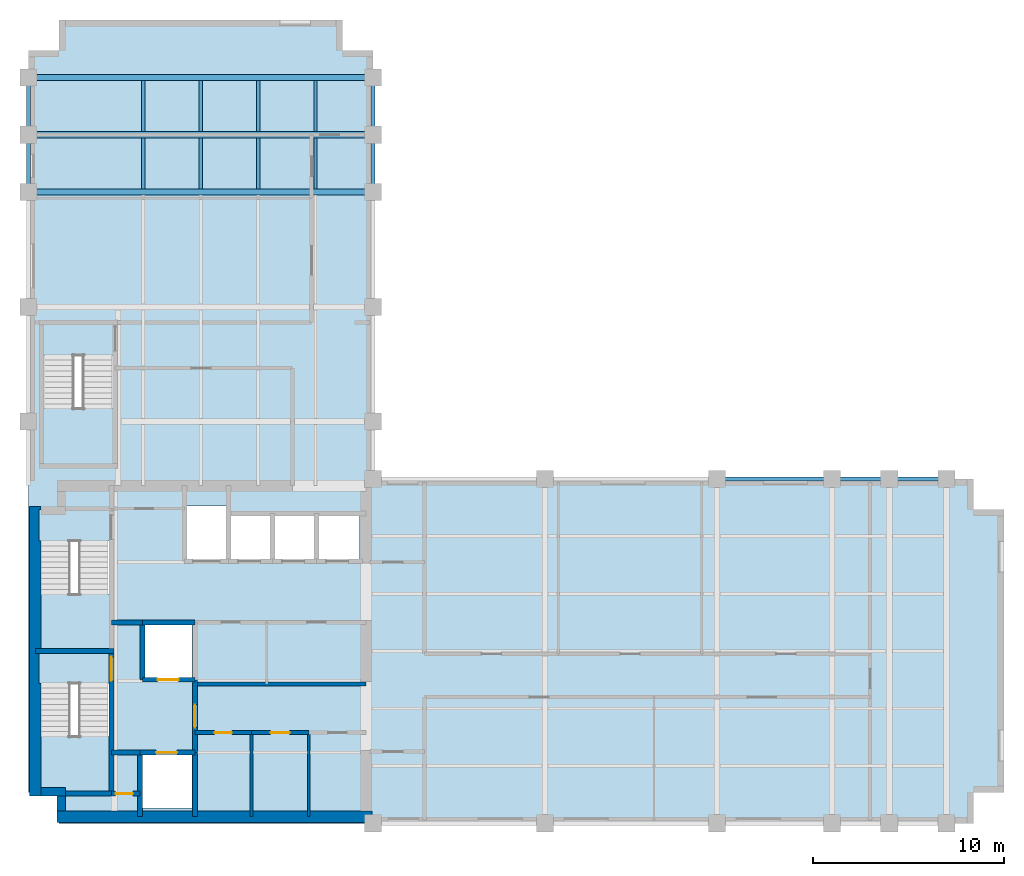
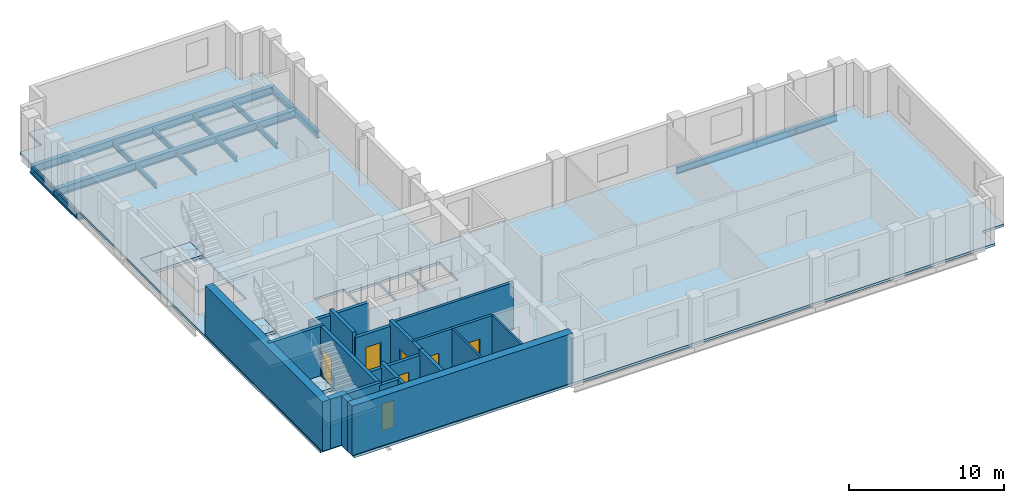
# One storey, part 2 of 6: 22 walls, 18 beams, 7 doors, 7 slabs, 7 openings, 3 elements without a shape of their own.
"""IFC4 building model written with IfcOpenShell, lengths in metres."""

import ifcopenshell
import ifcopenshell.guid

model = None  # the IFC model being written
_history = None  # IfcOwnerHistory: only IFC2X3 demands one
_inside = {}  # id of a spatial element -> (the spatial element, [elements in it])
_under = {}  # id of a project, library or spatial element -> (it, [spatial elements below it])
_declared = {}  # id of a project -> (the project, [libraries it declares])
_typed = {}  # id of a type object -> (the type object, [elements of that type])
_made_of = {}  # id of a material, layer set ... -> (it, [elements and type objects made of it])


def new_model(schema):
    """Start an empty IFC model of exactly this schema.

    Asked for "IFC4X3", IfcOpenShell would pick the latest addendum, in which some entities
    have other attributes; the version numbers below select the first issue.
    IFC2X3 requires an IfcOwnerHistory on every rooted entity: one is made here for all.
    """
    global model, _history
    if schema == "IFC4X3":
        model = ifcopenshell.file(schema_version=(4, 3, 0, 0))
    else:
        model = ifcopenshell.file(schema=schema)
    _inside.clear()
    _under.clear()
    _declared.clear()
    _typed.clear()
    _made_of.clear()
    _history = None
    if model.schema == "IFC2X3":
        org = make("IfcOrganization", Name="unknown")
        user = make(
            "IfcPersonAndOrganization",
            ThePerson=make("IfcPerson", FamilyName="unknown"),
            TheOrganization=org,
        )
        app = make(
            "IfcApplication",
            ApplicationDeveloper=org,
            Version="unknown",
            ApplicationFullName="unknown",
            ApplicationIdentifier="unknown",
        )
        _history = make(
            "IfcOwnerHistory",
            OwningUser=user,
            OwningApplication=app,
            ChangeAction="ADDED",
            CreationDate=0,
        )
    return model


def make(cls, **values):
    """One entity of the class cls with the attributes given. An attribute that is None is left unset."""
    return model.create_entity(
        cls, **{name: value for name, value in values.items() if value is not None}
    )


def rooted(cls, **values):
    """An entity with a GlobalId (a new one), such as an element, a storey or a relation."""
    return make(cls, GlobalId=ifcopenshell.guid.new(), OwnerHistory=_history, **values)


def si_unit(unit_type, name, prefix=None):
    """IfcSIUnit, for example si_unit("LENGTHUNIT", "METRE", prefix="MILLI")."""
    return make("IfcSIUnit", UnitType=unit_type, Prefix=prefix, Name=name)


def assignment(units):
    """IfcUnitAssignment: the units of a project."""
    return None if units is None else make("IfcUnitAssignment", Units=units)


def point(xyz):
    """IfcCartesianPoint."""
    return None if xyz is None else make("IfcCartesianPoint", Coordinates=xyz)


def direction(xyz):
    """IfcDirection."""
    return None if xyz is None else make("IfcDirection", DirectionRatios=xyz)


def frame(location, z_axis=None, x_axis=None):
    """IfcAxis2Placement3D, a coordinate frame: its origin and axes. An axis left out is left unset."""
    return make(
        "IfcAxis2Placement3D",
        Location=point(location),
        Axis=direction(z_axis),
        RefDirection=direction(x_axis),
    )


def frame_2d(location, x_axis=None):
    """IfcAxis2Placement2D, a coordinate frame in the plane: its origin and x axis."""
    return make(
        "IfcAxis2Placement2D", Location=point(location), RefDirection=direction(x_axis)
    )


def origin():
    """The frame at (0, 0, 0) with its axes left unset."""
    return frame((0.0, 0.0, 0.0))


def origin_2d():
    """The frame at (0, 0) in the plane with its x axis left unset."""
    return frame_2d((0.0, 0.0))


def place(relative_to, where):
    """IfcLocalPlacement: puts the frame where relative to a parent placement (None: the world)."""
    return make(
        "IfcLocalPlacement", PlacementRelTo=relative_to, RelativePlacement=where
    )


def context(
    kind, dimensions, precision=None, world=None, true_north=None, identifier=None
):
    """IfcGeometricRepresentationContext, for example the 3D "Model" context."""
    return make(
        "IfcGeometricRepresentationContext",
        ContextIdentifier=identifier,
        ContextType=kind,
        CoordinateSpaceDimension=dimensions,
        Precision=precision,
        WorldCoordinateSystem=world,
        TrueNorth=true_north,
    )


def subcontext(parent, identifier, kind, view, scale=None):
    """IfcGeometricRepresentationSubContext, for example "Body" below "Model"."""
    return make(
        "IfcGeometricRepresentationSubContext",
        ContextIdentifier=identifier,
        ContextType=kind,
        ParentContext=parent,
        TargetScale=scale,
        TargetView=view,
    )


def project(units=None, contexts=None):
    """IfcProject with its units and contexts."""
    return rooted(
        "IfcProject",
        Name="project",
        RepresentationContexts=contexts,
        UnitsInContext=assignment(units),
    )


def spatial(cls, under=None, at=None, **own):
    """A site, building, storey or space (cls), placed at a placement, below another one or the project."""
    s = rooted(cls, ObjectPlacement=at, **own)
    if under is not None:
        _under.setdefault(under.id(), (under, []))[1].append(s)
    return s


def polyline(points):
    """IfcPolyline through the points."""
    return make("IfcPolyline", Points=[point(p) for p in points])


def profile(cls, at=None, kind="AREA", **sizes):
    """A parametric profile (cls). Its sizes go by their IFC names, for example OverallWidth=200.0."""
    return make(cls, ProfileType=kind, Position=at, **sizes)


def rectangle(**sizes):
    """IfcRectangleProfileDef."""
    return profile("IfcRectangleProfileDef", **sizes)


def i_section(**sizes):
    """IfcIShapeProfileDef."""
    return profile("IfcIShapeProfileDef", **sizes)


def outline(outer, holes=None, kind="AREA"):
    """IfcArbitraryClosedProfileDef: a profile drawn as a closed curve; with holes, ...WithVoids."""
    if holes is None:
        return make("IfcArbitraryClosedProfileDef", ProfileType=kind, OuterCurve=outer)
    return make(
        "IfcArbitraryProfileDefWithVoids",
        ProfileType=kind,
        OuterCurve=outer,
        InnerCurves=holes,
    )


def extrude(swept, where, along, depth):
    """IfcExtrudedAreaSolid: the profile swept, set in the frame where, extruded along a direction by depth."""
    return make(
        "IfcExtrudedAreaSolid",
        SweptArea=swept,
        Position=where,
        ExtrudedDirection=direction(along),
        Depth=depth,
    )


def shape(context_of_items, identifier, shape_type, items):
    """IfcShapeRepresentation: the items that make up one representation, for example the "Body"."""
    return make(
        "IfcShapeRepresentation",
        ContextOfItems=context_of_items,
        RepresentationIdentifier=identifier,
        RepresentationType=shape_type,
        Items=items,
    )


def material(Name=None, Category=None):
    """IfcMaterial."""
    return make("IfcMaterial", Name=Name, Category=Category)


def layer(
    of_material, thickness, ventilated=None, Name=None, Category=None, Priority=None
):
    """IfcMaterialLayer: one layer of a wall or slab, of a material (None: an air gap)."""
    return make(
        "IfcMaterialLayer",
        Material=of_material,
        LayerThickness=thickness,
        IsVentilated=ventilated,
        Name=Name,
        Category=Category,
        Priority=Priority,
    )


def layer_set(layers, Name=None):
    """IfcMaterialLayerSet."""
    return make("IfcMaterialLayerSet", MaterialLayers=layers, LayerSetName=Name)


def material_profile(
    of_material, cross_section, Name=None, Category=None, Priority=None
):
    """IfcMaterialProfile: a cross section and its material."""
    return make(
        "IfcMaterialProfile",
        Name=Name,
        Material=of_material,
        Profile=cross_section,
        Priority=Priority,
        Category=Category,
    )


def profile_set(profiles, Name=None, composite=None):
    """IfcMaterialProfileSet."""
    return make(
        "IfcMaterialProfileSet",
        Name=Name,
        MaterialProfiles=profiles,
        CompositeProfile=composite,
    )


def made_of(thing, what):
    """Note that an element or type object is made of a material, layer set ...; save() writes the relation."""
    if what is not None:
        _made_of.setdefault(what.id(), (what, []))[1].append(thing)
    return thing


def type_object(cls, material=None, **own):
    """A type object (cls), such as IfcWallType, which elements share."""
    return made_of(rooted(cls, **own), material)


def element(
    cls,
    number,
    at=None,
    inside=None,
    cuts=None,
    type_object=None,
    material=None,
    context=None,
    identifier="Body",
    shape_type=None,
    held_by="IfcProductDefinitionShape",
    body=None,
    shapes=None,
    **own,
):
    """One element of the class cls, such as IfcWall. Its Tag is "e" and its number.

    at: its placement. inside: the storey or other place that contains it. cuts: it is an
    opening in that element (IfcRelVoidsElement). A single representation is given by context,
    identifier, shape_type and body (its items); several are given by shapes. held_by: the class
    of the entity that holds the representations. save() writes the other relations.
    """
    e = rooted(cls, Tag="e%d" % number, ObjectPlacement=at, **own)
    if body is not None:
        shapes = [shape(context, identifier, shape_type, body)]
    if shapes is not None:
        e.Representation = make(held_by, Representations=shapes)
    if inside is not None:
        _inside.setdefault(inside.id(), (inside, []))[1].append(e)
    if cuts is not None:
        rooted(
            "IfcRelVoidsElement", RelatingBuildingElement=cuts, RelatedOpeningElement=e
        )
    if type_object is not None:
        _typed.setdefault(type_object.id(), (type_object, []))[1].append(e)
    return made_of(e, material)


def fill(opening, filler):
    """IfcRelFillsElement: the door or window that sits in an opening."""
    return rooted(
        "IfcRelFillsElement",
        RelatingOpeningElement=opening,
        RelatedBuildingElement=filler,
    )


def aggregate(whole, parts):
    """IfcRelAggregates: a whole, such as a stair, and the parts it consists of."""
    return rooted("IfcRelAggregates", RelatingObject=whole, RelatedObjects=parts)


def save(model, path):
    """Write the relations noted so far, then the file.

    IfcRelAggregates (storeys below a building ...), IfcRelContainedInSpatialStructure (elements
    in a storey), IfcRelDefinesByType, IfcRelAssociatesMaterial and IfcRelDeclares: one each for
    every whole, place, type object, material and project.
    """
    for whole, parts in _under.values():
        aggregate(whole, parts)
    for where, things in _inside.values():
        rooted(
            "IfcRelContainedInSpatialStructure",
            RelatedElements=things,
            RelatingStructure=where,
        )
    for kind, things in _typed.values():
        rooted("IfcRelDefinesByType", RelatedObjects=things, RelatingType=kind)
    for what, things in _made_of.values():
        rooted("IfcRelAssociatesMaterial", RelatedObjects=things, RelatingMaterial=what)
    for by, libraries in _declared.values():
        rooted("IfcRelDeclares", RelatingContext=by, RelatedDefinitions=libraries)
    model.write(path)


model = new_model("IFC4")

# Units and contexts
model_context = context("Model", 3, precision=1e-05, world=origin(), true_north=direction((0.0, 1.0)))
body_context = subcontext(model_context, "Body", "Model", "MODEL_VIEW")
ifc_project = project(units=[si_unit("LENGTHUNIT", "METRE"), si_unit("AREAUNIT", "SQUARE_METRE"), si_unit("VOLUMEUNIT", "CUBIC_METRE"), si_unit("PLANEANGLEUNIT", "RADIAN"), si_unit("MASSUNIT", "GRAM", prefix="KILO")], contexts=[model_context])

# Site, building, storey
site_placement = place(None, origin())
site = spatial("IfcSite", under=ifc_project, at=site_placement, CompositionType="ELEMENT")
building_placement = place(site_placement, origin())
building = spatial("IfcBuilding", under=site, at=building_placement, Name="Mawjdan Bourse Tower", CompositionType="ELEMENT")
storey_placement = place(building_placement, frame((0.0, 0.0, 176.10009765625)))
storey = spatial("IfcBuildingStorey", under=building, at=storey_placement, Name="L42", CompositionType="ELEMENT", Elevation=176.10009765625)

# Beams
ifc_material_1 = material(Name="Structural Steel S355", Category="steel")
ifc_material_profile_1 = material_profile(ifc_material_1, i_section(OverallWidth=0.324951171875, OverallDepth=0.616943359375, WebThickness=0.013916015625, FlangeThickness=0.021484375, FilletRadius=0.017333984375, at=origin_2d()), Name="W24X117")
ifc_profile_set_1 = profile_set([ifc_material_profile_1], Name="Structural Steel S355")
beam_type_1 = type_object("IfcBeamType", Name="GRD-W24X117", PredefinedType="BEAM", material=ifc_profile_set_1)
for number, where, z_axis, x_axis, name in (
    (1, (6.0, 36.0, -0.508544921875), (1.0, 0.0, 0.0), (0.0, 1.0, 0.0), "L42 North Wing Clear-Span Girder 049"),
    (2, (6.0, 39.0, -0.508544921875), (1.0, 0.0, 0.0), (0.0, 1.0, 0.0), "L42 North Wing Clear-Span Girder 050"),
    (3, (6.0, 42.0, -0.508544921875), (1.0, 0.0, 0.0), (0.0, 1.0, 0.0), "L42 North Wing Clear-Span Girder 051"),
):
    element("IfcBeam", number, at=place(storey_placement, frame(where, z_axis=z_axis, x_axis=x_axis)), inside=storey, type_object=beam_type_1, Name=name, PredefinedType="BEAM", context=body_context, shape_type="SweptSolid", body=[
        extrude(i_section(OverallWidth=0.324951171875, OverallDepth=0.616943359375, WebThickness=0.013916015625, FlangeThickness=0.021484375, FilletRadius=0.017333984375, at=origin_2d()), origin(), (0.0, 0.0, 1.0), 18.0),
    ])
ifc_material_profile_2 = material_profile(ifc_material_1, i_section(OverallWidth=0.177978515625, OverallDepth=0.406982421875, WebThickness=0.0078125, FlangeThickness=0.0126953125, FilletRadius=0.01025390625, at=origin_2d()), Name="W16X40")
ifc_profile_set_2 = profile_set([ifc_material_profile_2], Name="Structural Steel S355")
beam_type_2 = type_object("IfcBeamType", Name="JST-W16X40", PredefinedType="JOIST", material=ifc_profile_set_2)
for number, where, z_axis, x_axis, name in (
    (4, (12.0, 36.160400390625, -0.403564453125), (0.0, 1.0, 0.0), (-1.0, 0.0, 0.0), "L42 North Wing Composite Joist 065"),
    (5, (12.0, 39.160400390625, -0.403564453125), (0.0, 1.0, 0.0), (-1.0, 0.0, 0.0), "L42 North Wing Composite Joist 066"),
    (6, (15.0, 36.160400390625, -0.403564453125), (0.0, 1.0, 0.0), (-1.0, 0.0, 0.0), "L42 North Wing Composite Joist 070"),
    (7, (15.0, 39.160400390625, -0.403564453125), (0.0, 1.0, 0.0), (-1.0, 0.0, 0.0), "L42 North Wing Composite Joist 071"),
    (8, (18.0, 36.160400390625, -0.403564453125), (0.0, 1.0, 0.0), (-1.0, 0.0, 0.0), "L42 North Wing Composite Joist 075"),
    (9, (18.0, 39.160400390625, -0.403564453125), (0.0, 1.0, 0.0), (-1.0, 0.0, 0.0), "L42 North Wing Composite Joist 076"),
    (10, (21.0, 36.160400390625, -0.403564453125), (0.0, 1.0, 0.0), (-1.0, 0.0, 0.0), "L42 North Wing Composite Joist 080"),
    (11, (21.0, 39.160400390625, -0.403564453125), (0.0, 1.0, 0.0), (-1.0, 0.0, 0.0), "L42 North Wing Composite Joist 081"),
):
    element("IfcBeam", number, at=place(storey_placement, frame(where, z_axis=z_axis, x_axis=x_axis)), inside=storey, type_object=beam_type_2, Name=name, PredefinedType="JOIST", context=body_context, shape_type="SweptSolid", body=[
        extrude(i_section(OverallWidth=0.177978515625, OverallDepth=0.406982421875, WebThickness=0.0078125, FlangeThickness=0.0126953125, FilletRadius=0.01025390625, at=origin_2d()), origin(), (0.0, 0.0, 1.0), 2.67919921875),
    ])
ifc_material_profile_3 = material_profile(ifc_material_1, i_section(OverallWidth=0.2119140625, OverallDepth=0.5439453125, WebThickness=0.01318359375, FlangeThickness=0.021240234375, FilletRadius=0.01708984375, at=origin_2d()), Name="W21X83")
ifc_profile_set_3 = profile_set([ifc_material_profile_3], Name="Structural Steel S355")
beam_type_3 = type_object("IfcBeamType", Name="SPN-W21X83", PredefinedType="SPANDREL", material=ifc_profile_set_3)
beam_placement = place(storey_placement, frame((42.0, 21.0, -0.47216796875), z_axis=(1.0, 0.0, 0.0), x_axis=(0.0, 1.0, 0.0)))
element("IfcBeam", 12, at=beam_placement, inside=storey, type_object=beam_type_3, Name="L42 Perimeter Masonry-Shelf Spandrel 014", PredefinedType="SPANDREL", context=body_context, shape_type="SweptSolid", body=[
    extrude(i_section(OverallWidth=0.2119140625, OverallDepth=0.5439453125, WebThickness=0.01318359375, FlangeThickness=0.021240234375, FilletRadius=0.01708984375, at=origin_2d()), origin(), (0.0, 0.0, 1.0), 6.0),
])
for number, where, z_axis, x_axis, name in (
    (13, (48.0, 21.0, -0.47216796875), (1.0, 0.0, 0.0), (0.0, 1.0, 0.0), "L42 Perimeter Masonry-Shelf Spandrel 015"),
    (14, (51.0, 21.0, -0.47216796875), (1.0, 0.0, 0.0), (0.0, 1.0, 0.0), "L42 Perimeter Masonry-Shelf Spandrel 016"),
    (15, (6.0, 36.0, -0.47216796875), (0.0, 1.0, 0.0), (-1.0, 0.0, 0.0), "L42 North Wing Spandrel 055"),
    (16, (6.0, 39.0, -0.47216796875), (0.0, 1.0, 0.0), (-1.0, 0.0, 0.0), "L42 North Wing Spandrel 056"),
    (17, (24.0, 36.0, -0.47216796875), (0.0, 1.0, 0.0), (-1.0, 0.0, 0.0), "L42 North Wing Spandrel 060"),
    (18, (24.0, 39.0, -0.47216796875), (0.0, 1.0, 0.0), (-1.0, 0.0, 0.0), "L42 North Wing Spandrel 061"),
):
    element("IfcBeam", number, at=place(storey_placement, frame(where, z_axis=z_axis, x_axis=x_axis)), inside=storey, type_object=beam_type_3, Name=name, PredefinedType="SPANDREL", context=body_context, shape_type="SweptSolid", body=[
        extrude(i_section(OverallWidth=0.2119140625, OverallDepth=0.5439453125, WebThickness=0.01318359375, FlangeThickness=0.021240234375, FilletRadius=0.01708984375, at=origin_2d()), origin(), (0.0, 0.0, 1.0), 3.0),
    ])

# Stair, slabs
ifc_material_2 = material(Name="Concrete C50/60", Category="concrete")
stair_type = type_object("IfcStairType", Name="STR-CORE-1500", PredefinedType="HALF_TURN_STAIR", material=ifc_material_2)
stair_1_placement = place(storey_placement, origin())
stair_1 = element("IfcStair", 19, at=stair_1_placement, inside=storey, type_object=stair_type, Name="L42 Exit Stair 1 (Core South-West)", PredefinedType="HALF_TURN_STAIR")
ifc_layer_1 = layer(ifc_material_2, 0.22998046875)
ifc_layer_set_1 = layer_set([ifc_layer_1], Name="Concrete C50/60")
slab_type_1 = type_object("IfcSlabType", Name="SL-LND-230", PredefinedType="LANDING", material=ifc_layer_set_1)
slab_1_placement = place(storey_placement, frame((0.0, 0.0, -0.22998046875)))
slab_1 = element("IfcSlab", 20, at=slab_1_placement, type_object=slab_type_1, Name="ST1-L42 landing 1", PredefinedType="LANDING", context=body_context, shape_type="SweptSolid", body=[
    extrude(outline(polyline([(6.5400390625, 10.31005859375), (10.260009765625, 10.31005859375), (10.260009765625, 11.969970703125), (6.5400390625, 11.969970703125), (6.5400390625, 10.31005859375)])), origin(), (0.0, 0.0, 1.0), 0.22998046875),
])
slab_2_placement = place(storey_placement, frame((0.0, 0.0, 1.719970703125)))
slab_2 = element("IfcSlab", 21, at=slab_2_placement, type_object=slab_type_1, Name="ST1-L42 landing 2", PredefinedType="LANDING", context=body_context, shape_type="SweptSolid", body=[
    extrude(outline(polyline([(6.5400390625, 4.590087890625), (10.260009765625, 4.590087890625), (10.260009765625, 7.5400390625), (6.5400390625, 7.5400390625), (6.5400390625, 4.590087890625)])), origin(), (0.0, 0.0, 1.0), 0.22998046875),
])
aggregate(stair_1, [slab_1, slab_2])

stair_2_placement = place(storey_placement, origin())
stair_2 = element("IfcStair", 22, at=stair_2_placement, inside=storey, type_object=stair_type, Name="L42 Exit Stair 2 (Core North-West)", PredefinedType="HALF_TURN_STAIR")
slab_3_placement = place(storey_placement, frame((0.0, 0.0, -0.22998046875)))
slab_3 = element("IfcSlab", 23, at=slab_3_placement, type_object=slab_type_1, Name="ST2-L42 landing 1", PredefinedType="LANDING", context=body_context, shape_type="SweptSolid", body=[
    extrude(outline(polyline([(6.5400390625, 17.75), (10.260009765625, 17.75), (10.260009765625, 19.409912109375), (6.5400390625, 19.409912109375), (6.5400390625, 17.75)])), origin(), (0.0, 0.0, 1.0), 0.22998046875),
])
slab_4_placement = place(storey_placement, frame((0.0, 0.0, 1.719970703125)))
slab_4 = element("IfcSlab", 24, at=slab_4_placement, type_object=slab_type_1, Name="ST2-L42 landing 2", PredefinedType="LANDING", context=body_context, shape_type="SweptSolid", body=[
    extrude(outline(polyline([(6.5400390625, 12.030029296875), (10.260009765625, 12.030029296875), (10.260009765625, 14.97998046875), (6.5400390625, 14.97998046875), (6.5400390625, 12.030029296875)])), origin(), (0.0, 0.0, 1.0), 0.22998046875),
])
aggregate(stair_2, [slab_3, slab_4])

stair_3_placement = place(storey_placement, origin())
stair_3 = element("IfcStair", 25, at=stair_3_placement, inside=storey, type_object=stair_type, Name="L42 Exit Stair 3 (North Wing)", PredefinedType="HALF_TURN_STAIR")
slab_5_placement = place(storey_placement, frame((0.0, 0.0, -0.22998046875)))
slab_5 = element("IfcSlab", 26, at=slab_5_placement, type_object=slab_type_1, Name="ST3-L42 landing 1", PredefinedType="LANDING", context=body_context, shape_type="SweptSolid", body=[
    extrude(outline(polyline([(6.739990234375, 27.4599609375), (10.4599609375, 27.4599609375), (10.4599609375, 29.1201171875), (6.739990234375, 29.1201171875), (6.739990234375, 27.4599609375)])), origin(), (0.0, 0.0, 1.0), 0.22998046875),
])
slab_6_placement = place(storey_placement, frame((0.0, 0.0, 1.719970703125)))
slab_6 = element("IfcSlab", 27, at=slab_6_placement, type_object=slab_type_1, Name="ST3-L42 landing 2", PredefinedType="LANDING", context=body_context, shape_type="SweptSolid", body=[
    extrude(outline(polyline([(6.739990234375, 21.739990234375), (10.4599609375, 21.739990234375), (10.4599609375, 24.68994140625), (6.739990234375, 24.68994140625), (6.739990234375, 21.739990234375)])), origin(), (0.0, 0.0, 1.0), 0.22998046875),
])
aggregate(stair_3, [slab_5, slab_6])

# Slab
ifc_layer_2 = layer(ifc_material_2, 0.199951171875)
ifc_layer_set_2 = layer_set([ifc_layer_2], Name="Concrete C50/60")
slab_type_2 = type_object("IfcSlabType", Name="SL-OFC-200", PredefinedType="FLOOR", material=ifc_layer_set_2)
slab_7_placement = place(storey_placement, frame((0.0, 0.0, -0.2001953125)))
element("IfcSlab", 28, at=slab_7_placement, inside=storey, type_object=slab_type_2, Name="L42 Structural Floor Slab 1", PredefinedType="FLOOR", context=body_context, shape_type="SweptSolid", body=[
    extrude(outline(polyline([(7.60009765625, 3.0), (55.39990234375, 3.0), (55.39990234375, 4.60009765625), (57.0, 4.60009765625), (57.0, 19.39990234375), (55.39990234375, 19.39990234375), (55.39990234375, 21.0), (24.0, 21.0), (24.0, 43.39990234375), (22.39990234375, 43.39990234375), (22.39990234375, 45.0), (7.60009765625, 45.0), (7.60009765625, 43.39990234375), (6.0, 43.39990234375), (6.0, 4.60009765625), (7.60009765625, 4.60009765625), (7.60009765625, 3.0)]), holes=[polyline([(6.5400390625, 11.969970703125), (10.260009765625, 11.969970703125), (10.260009765625, 10.31005859375), (10.199951171875, 10.31005859375), (10.199951171875, 4.64990234375), (6.60009765625, 4.64990234375), (6.60009765625, 10.31005859375), (6.5400390625, 10.31005859375), (6.5400390625, 11.969970703125)]), polyline([(6.60009765625, 12.090087890625), (6.60009765625, 17.75), (6.5400390625, 17.75), (6.5400390625, 19.409912109375), (10.260009765625, 19.409912109375), (10.260009765625, 17.75), (10.199951171875, 17.75), (10.199951171875, 12.090087890625), (6.60009765625, 12.090087890625)]), polyline([(10.4599609375, 29.1201171875), (10.4599609375, 27.4599609375), (10.39990234375, 27.4599609375), (10.39990234375, 21.800048828125), (6.800048828125, 21.800048828125), (6.800048828125, 27.4599609375), (6.739990234375, 27.4599609375), (6.739990234375, 29.1201171875), (10.4599609375, 29.1201171875)]), polyline([(14.550048828125, 3.800048828125), (11.949951171875, 3.800048828125), (11.949951171875, 6.60009765625), (14.550048828125, 6.60009765625), (14.550048828125, 3.800048828125)]), polyline([(12.050048828125, 10.60009765625), (12.050048828125, 13.39990234375), (14.550048828125, 13.39990234375), (14.550048828125, 10.60009765625), (12.050048828125, 10.60009765625)]), polyline([(16.5, 16.800048828125), (16.5, 19.14990234375), (18.699951171875, 19.14990234375), (18.699951171875, 16.800048828125), (16.5, 16.800048828125)]), polyline([(21.0, 16.800048828125), (18.800048828125, 16.800048828125), (18.800048828125, 19.14990234375), (21.0, 19.14990234375), (21.0, 16.800048828125)]), polyline([(21.10009765625, 16.800048828125), (21.10009765625, 19.14990234375), (23.300048828125, 19.14990234375), (23.300048828125, 16.800048828125), (21.10009765625, 16.800048828125)]), polyline([(14.199951171875, 16.800048828125), (14.199951171875, 19.60009765625), (16.39990234375, 19.60009765625), (16.39990234375, 16.800048828125), (14.199951171875, 16.800048828125)])]), origin(), (0.0, 0.0, 1.0), 0.2001953125),
])

# Wall, opening, door
ifc_material_3 = material(Name="Gypsum Fireboard Assembly")
ifc_layer_3 = layer(ifc_material_3, 0.199951171875)
ifc_layer_set_3 = layer_set([ifc_layer_3], Name="Gypsum Fireboard Assembly")
wall_type_1 = type_object("IfcWallType", Name="WL-CMP-200", PredefinedType="PARTITIONING", material=ifc_layer_set_3)
wall_1_placement = place(storey_placement, frame((14.699951171875, 7.739990234375, 0.0), z_axis=(0.0, 0.0, 1.0), x_axis=(1.0, 0.0, 0.0)))
wall_1 = element("IfcWall", 29, at=wall_1_placement, inside=storey, type_object=wall_type_1, Name="L42 IT & Telemetry Room North Wall", PredefinedType="PARTITIONING", context=body_context, shape_type="SweptSolid", body=[
    extrude(rectangle(XDim=2.949951171875, YDim=0.199951171875, at=frame_2d((1.47509765625, 0.0))), origin(), (0.0, 0.0, 1.0), 3.68994140625),
])
opening_1_placement = place(wall_1_placement, frame((1.02490234375, 0.0, 0.0)))
opening_1 = element("IfcOpeningElement", 30, at=opening_1_placement, cuts=wall_1, Name="Opening D-L42-13", PredefinedType="OPENING", context=body_context, shape_type="SweptSolid", body=[
    extrude(rectangle(XDim=0.89990234375, YDim=2.10009765625, at=frame_2d((0.449951171875, 1.050048828125))), frame((0.0, 0.10986328125, 0.0), z_axis=(0.0, -1.0, 0.0), x_axis=(1.0, 0.0, 0.0)), (0.0, 0.0, 1.0), 0.219970703125),
])
ifc_material_4 = material(Name="Fire-Rated Steel Access Leaf", Category="steel")
door_type_1 = type_object("IfcDoorType", Name="FD-RSR-0900", OperationType="NOTDEFINED", PredefinedType="TRAPDOOR", material=ifc_material_4)
door_1_placement = place(opening_1_placement, origin())
door_1 = element("IfcDoor", 31, at=door_1_placement, inside=storey, type_object=door_type_1, Name="L42 IT & Telemetry Room Door D-L42-13", OperationType="SINGLE_SWING_LEFT", OverallHeight=2.10009765625, OverallWidth=0.89990234375, PredefinedType="TRAPDOOR", context=body_context, shape_type="SweptSolid", body=[
    extrude(rectangle(XDim=0.89990234375, YDim=2.10009765625, at=frame_2d((0.449951171875, 1.050048828125))), frame((0.0, 0.02490234375, 0.0), z_axis=(0.0, -1.0, 0.0), x_axis=(1.0, 0.0, 0.0)), (0.0, 0.0, 1.0), 0.050048828125),
])
fill(opening_1, door_1)

wall_2_placement = place(storey_placement, frame((17.64990234375, 7.739990234375, 0.0), z_axis=(0.0, 0.0, 1.0), x_axis=(1.0, 0.0, 0.0)))
wall_2 = element("IfcWall", 32, at=wall_2_placement, inside=storey, type_object=wall_type_1, Name="L42 Mail & Courier Office North Wall", PredefinedType="PARTITIONING", context=body_context, shape_type="SweptSolid", body=[
    extrude(rectangle(XDim=3.0, YDim=0.199951171875, at=frame_2d((1.5, 0.0))), origin(), (0.0, 0.0, 1.0), 3.68994140625),
])
opening_2_placement = place(wall_2_placement, frame((1.0, 0.0, 0.0)))
opening_2 = element("IfcOpeningElement", 33, at=opening_2_placement, cuts=wall_2, Name="Opening D-L42-14", PredefinedType="OPENING", context=body_context, shape_type="SweptSolid", body=[
    extrude(rectangle(XDim=1.0, YDim=2.14990234375, at=frame_2d((0.5, 1.074951171875))), frame((0.0, 0.10986328125, 0.0), z_axis=(0.0, -1.0, 0.0), x_axis=(1.0, 0.0, 0.0)), (0.0, 0.0, 1.0), 0.219970703125),
])
ifc_material_5 = material(Name="Hardwood Acoustic Leaf", Category="wood")
door_type_2 = type_object("IfcDoorType", Name="DR-OFC-1000", OperationType="NOTDEFINED", PredefinedType="DOOR", material=ifc_material_5)
door_2_placement = place(opening_2_placement, origin())
door_2 = element("IfcDoor", 34, at=door_2_placement, inside=storey, type_object=door_type_2, Name="L42 Mail & Courier Office Door D-L42-14", OperationType="SINGLE_SWING_RIGHT", OverallHeight=2.14990234375, OverallWidth=1.0, PredefinedType="DOOR", context=body_context, shape_type="SweptSolid", body=[
    extrude(rectangle(XDim=1.0, YDim=2.14990234375, at=frame_2d((0.5, 1.074951171875))), frame((0.0, 0.02490234375, 0.0), z_axis=(0.0, -1.0, 0.0), x_axis=(1.0, 0.0, 0.0)), (0.0, 0.0, 1.0), 0.050048828125),
])
fill(opening_2, door_2)

# Walls
wall_3_placement = place(storey_placement, frame((14.824951171875, 10.280029296875, 0.0), z_axis=(0.0, 0.0, 1.0), x_axis=(1.0, 0.0, 0.0)))
element("IfcWall", 35, at=wall_3_placement, inside=storey, type_object=wall_type_1, Name="L42 Core Restroom Suite South Wall", PredefinedType="PARTITIONING", context=body_context, shape_type="SweptSolid", body=[
    extrude(rectangle(XDim=8.824951171875, YDim=0.199951171875, at=frame_2d((4.41259765625, 0.0))), origin(), (0.0, 0.0, 1.0), 3.68994140625),
])
ifc_material_6 = material(Name="Concrete C60/75", Category="concrete")
ifc_layer_4 = layer(ifc_material_6, 0.449951171875)
ifc_layer_set_4 = layer_set([ifc_layer_4], Name="Concrete C60/75")
wall_type_2 = type_object("IfcWallType", Name="WL-CORE-450", PredefinedType="SHEAR", material=ifc_layer_set_4)
wall_4_placement = place(storey_placement, frame((6.64990234375, 4.64990234375, 0.0), z_axis=(0.0, 0.0, 1.0), x_axis=(1.0, 0.0, 0.0)))
element("IfcWall", 36, at=wall_4_placement, inside=storey, type_object=wall_type_2, Name="L42 Rear Core Shear Wall SW-X", PredefinedType="SHEAR", context=body_context, shape_type="SweptSolid", body=[
    extrude(rectangle(XDim=1.275146484375, YDim=0.449951171875, at=frame_2d((0.6376953125, 0.0))), origin(), (0.0, 0.0, 1.0), 3.89990234375),
])
wall_5_placement = place(storey_placement, frame((7.699951171875, 3.64990234375, 0.0), z_axis=(0.0, 0.0, 1.0), x_axis=(0.0, 1.0, 0.0)))
element("IfcWall", 37, at=wall_5_placement, inside=storey, type_object=wall_type_2, Name="L42 Rear Core Shear Wall SW-Y", PredefinedType="SHEAR", context=body_context, shape_type="SweptSolid", body=[
    extrude(rectangle(XDim=0.775146484375, YDim=0.449951171875, at=frame_2d((0.3876953125, 0.0))), origin(), (0.0, 0.0, 1.0), 3.89990234375),
])
ifc_material_7 = material(Name="Concrete C70/85", Category="concrete")
ifc_layer_5 = layer(ifc_material_7, 0.60009765625)
ifc_layer_set_5 = layer_set([ifc_layer_5], Name="Concrete C70/85")
wall_type_3 = type_object("IfcWallType", Name="WL-CORE-600", PredefinedType="SHEAR", material=ifc_layer_set_5)
wall_6_placement = place(storey_placement, frame((7.47509765625, 3.35009765625, 0.0), z_axis=(0.0, 0.0, 1.0), x_axis=(1.0, 0.0, 0.0)))
element("IfcWall", 38, at=wall_6_placement, inside=storey, type_object=wall_type_3, Name="L42 Rear Core Shear Wall S", PredefinedType="SHEAR", context=body_context, shape_type="SweptSolid", body=[
    extrude(rectangle(XDim=16.474853515625, YDim=0.60009765625, at=frame_2d((8.2373046875, 0.0))), origin(), (0.0, 0.0, 1.0), 3.89990234375),
])
wall_7_placement = place(storey_placement, frame((6.35009765625, 4.425048828125, 0.0), z_axis=(0.0, 0.0, 1.0), x_axis=(0.0, 1.0, 0.0)))
element("IfcWall", 39, at=wall_7_placement, inside=storey, type_object=wall_type_3, Name="L42 Rear Core Shear Wall W", PredefinedType="SHEAR", context=body_context, shape_type="SweptSolid", body=[
    extrude(rectangle(XDim=15.14990234375, YDim=0.60009765625, at=frame_2d((7.574951171875, 0.0))), origin(), (0.0, 0.0, 1.0), 3.89990234375),
])
ifc_material_8 = material(Name="Gypsum Acoustic Partition")
ifc_layer_6 = layer(ifc_material_8, 0.14990234375)
ifc_layer_set_6 = layer_set([ifc_layer_6], Name="Gypsum Acoustic Partition")
wall_type_4 = type_object("IfcWallType", Name="WL-PRT-150", PredefinedType="PARTITIONING", material=ifc_layer_set_6)
for number, where, z_axis, x_axis, name in (
    (40, (17.64990234375, 3.35009765625, 0.0), (0.0, 0.0, 1.0), (0.0, 1.0, 0.0), "L42 Mail & Courier Office Core Split Wall"),
    (41, (20.64990234375, 3.35009765625, 0.0), (0.0, 0.0, 1.0), (0.0, 1.0, 0.0), "L42 Staff Refreshment Pantry Core Split Wall"),
):
    element("IfcWall", number, at=place(storey_placement, frame(where, z_axis=z_axis, x_axis=x_axis)), inside=storey, type_object=wall_type_4, Name=name, PredefinedType="PARTITIONING", context=body_context, shape_type="SweptSolid", body=[
        extrude(rectangle(XDim=4.389892578125, YDim=0.14990234375, at=frame_2d((2.19482421875, 0.0))), origin(), (0.0, 0.0, 1.0), 3.68994140625),
    ])

# Wall, opening, door
ifc_layer_7 = layer(ifc_material_2, 0.25)
ifc_layer_set_7 = layer_set([ifc_layer_7], Name="Concrete C50/60")
wall_type_5 = type_object("IfcWallType", Name="WL-SHFT-250", PredefinedType="PARTITIONING", material=ifc_layer_set_7)
wall_8_placement = place(storey_placement, frame((10.330078125, 4.550048828125, 0.0), z_axis=(0.0, 0.0, 1.0), x_axis=(1.0, 0.0, 0.0)))
wall_8 = element("IfcWall", 42, at=wall_8_placement, inside=storey, type_object=wall_type_5, Name="L42 SW Riser North Wall", PredefinedType="PARTITIONING", context=body_context, shape_type="SweptSolid", body=[
    extrude(rectangle(XDim=1.489990234375, YDim=0.25, at=frame_2d((0.7451171875, 0.0))), origin(), (0.0, 0.0, 1.0), 3.68994140625),
])
opening_3_placement = place(wall_8_placement, frame((0.219970703125, 0.0, 0.0)))
opening_3 = element("IfcOpeningElement", 43, at=opening_3_placement, cuts=wall_8, Name="Opening RD-L42-03", PredefinedType="OPENING", context=body_context, shape_type="SweptSolid", body=[
    extrude(rectangle(XDim=0.89990234375, YDim=2.10009765625, at=frame_2d((0.449951171875, 1.050048828125))), frame((0.0, 0.135009765625, 0.0), z_axis=(0.0, -1.0, 0.0), x_axis=(1.0, 0.0, 0.0)), (0.0, 0.0, 1.0), 0.27001953125),
])
door_3_placement = place(opening_3_placement, origin())
door_3 = element("IfcDoor", 44, at=door_3_placement, inside=storey, type_object=door_type_1, Name="L42 Electrical Riser Access Door RD-L42-03", OperationType="SINGLE_SWING_LEFT", OverallHeight=2.10009765625, OverallWidth=0.89990234375, PredefinedType="TRAPDOOR", context=body_context, shape_type="SweptSolid", body=[
    extrude(rectangle(XDim=0.89990234375, YDim=2.10009765625, at=frame_2d((0.449951171875, 1.050048828125))), frame((0.0, 0.02490234375, 0.0), z_axis=(0.0, -1.0, 0.0), x_axis=(1.0, 0.0, 0.0)), (0.0, 0.0, 1.0), 0.050048828125),
])
fill(opening_3, door_3)

# Wall
wall_9_placement = place(storey_placement, frame((11.820068359375, 3.35009765625, 0.0), z_axis=(0.0, 0.0, 1.0), x_axis=(0.0, 1.0, 0.0)))
element("IfcWall", 45, at=wall_9_placement, inside=storey, type_object=wall_type_5, Name="L42 SW Riser & FFL01 West Wall", PredefinedType="PARTITIONING", context=body_context, shape_type="SweptSolid", body=[
    extrude(rectangle(XDim=3.349853515625, YDim=0.25, at=frame_2d((1.6748046875, 0.0))), origin(), (0.0, 0.0, 1.0), 3.68994140625),
])

# Wall, opening, door
wall_10_placement = place(storey_placement, frame((11.820068359375, 6.699951171875, 0.0), z_axis=(0.0, 0.0, 1.0), x_axis=(1.0, 0.0, 0.0)))
wall_10 = element("IfcWall", 46, at=wall_10_placement, inside=storey, type_object=wall_type_5, Name="L42 FFL-01 Front Shaft Wall", PredefinedType="PARTITIONING", context=body_context, shape_type="SweptSolid", body=[
    extrude(rectangle(XDim=2.8798828125, YDim=0.25, at=frame_2d((1.43994140625, 0.0))), origin(), (0.0, 0.0, 1.0), 3.282958984375),
])
opening_4_placement = place(wall_10_placement, frame((0.85009765625, 0.0, 0.0)))
opening_4 = element("IfcOpeningElement", 47, at=opening_4_placement, cuts=wall_10, Name="Opening LD-L42-05", PredefinedType="OPENING", context=body_context, shape_type="SweptSolid", body=[
    extrude(rectangle(XDim=1.10009765625, YDim=2.25, at=frame_2d((0.550048828125, 1.125))), frame((0.0, 0.135009765625, 0.0), z_axis=(0.0, -1.0, 0.0), x_axis=(1.0, 0.0, 0.0)), (0.0, 0.0, 1.0), 0.27001953125),
])
ifc_material_9 = material(Name="Brushed Stainless Steel", Category="steel")
door_type_3 = type_object("IfcDoorType", Name="LD-FFL-1100", OperationType="DOUBLE_DOOR_SLIDING", PredefinedType="DOOR", material=ifc_material_9)
door_4_placement = place(opening_4_placement, origin())
door_4 = element("IfcDoor", 48, at=door_4_placement, inside=storey, type_object=door_type_3, Name="L42 Firefighting Lift FFL-01 Landing Door LD-L42-05", OperationType="DOUBLE_DOOR_SLIDING", OverallHeight=2.25, OverallWidth=1.10009765625, PredefinedType="DOOR", context=body_context, shape_type="SweptSolid", body=[
    extrude(rectangle(XDim=1.10009765625, YDim=2.25, at=frame_2d((0.550048828125, 1.125))), frame((0.0, 0.02490234375, 0.0), z_axis=(0.0, -1.0, 0.0), x_axis=(1.0, 0.0, 0.0)), (0.0, 0.0, 1.0), 0.050048828125),
])
fill(opening_4, door_4)

# Wall
wall_11_placement = place(storey_placement, frame((14.699951171875, 3.35009765625, 0.0), z_axis=(0.0, 0.0, 1.0), x_axis=(0.0, 1.0, 0.0)))
element("IfcWall", 49, at=wall_11_placement, inside=storey, type_object=wall_type_5, Name="L42 FFL-01 East Shaft Wall", PredefinedType="PARTITIONING", context=body_context, shape_type="SweptSolid", body=[
    extrude(rectangle(XDim=3.349853515625, YDim=0.25, at=frame_2d((1.6748046875, 0.0))), origin(), (0.0, 0.0, 1.0), 3.68994140625),
])

# Wall, opening, door
wall_12_placement = place(storey_placement, frame((11.949951171875, 10.5, 0.0), z_axis=(0.0, 0.0, 1.0), x_axis=(1.0, 0.0, 0.0)))
wall_12 = element("IfcWall", 50, at=wall_12_placement, inside=storey, type_object=wall_type_5, Name="L42 FFL-02 Front Shaft Wall", PredefinedType="PARTITIONING", context=body_context, shape_type="SweptSolid", body=[
    extrude(rectangle(XDim=2.75, YDim=0.25, at=frame_2d((1.375, 0.0))), origin(), (0.0, 0.0, 1.0), 3.282958984375),
])
opening_5_placement = place(wall_12_placement, frame((0.800048828125, 0.0, 0.0)))
opening_5 = element("IfcOpeningElement", 51, at=opening_5_placement, cuts=wall_12, Name="Opening LD-L42-06", PredefinedType="OPENING", context=body_context, shape_type="SweptSolid", body=[
    extrude(rectangle(XDim=1.10009765625, YDim=2.25, at=frame_2d((0.550048828125, 1.125))), frame((0.0, 0.135009765625, 0.0), z_axis=(0.0, -1.0, 0.0), x_axis=(1.0, 0.0, 0.0)), (0.0, 0.0, 1.0), 0.27001953125),
])
door_5_placement = place(opening_5_placement, origin())
door_5 = element("IfcDoor", 52, at=door_5_placement, inside=storey, type_object=door_type_3, Name="L42 Firefighting Lift FFL-02 Landing Door LD-L42-06", OperationType="DOUBLE_DOOR_SLIDING", OverallHeight=2.25, OverallWidth=1.10009765625, PredefinedType="DOOR", context=body_context, shape_type="SweptSolid", body=[
    extrude(rectangle(XDim=1.10009765625, YDim=2.25, at=frame_2d((0.550048828125, 1.125))), frame((0.0, 0.02490234375, 0.0), z_axis=(0.0, -1.0, 0.0), x_axis=(1.0, 0.0, 0.0)), (0.0, 0.0, 1.0), 0.050048828125),
])
fill(opening_5, door_5)

# Walls
wall_13_placement = place(storey_placement, frame((11.949951171875, 10.5, 0.0), z_axis=(0.0, 0.0, 1.0), x_axis=(0.0, 1.0, 0.0)))
element("IfcWall", 53, at=wall_13_placement, inside=storey, type_object=wall_type_5, Name="L42 FFL-02 West Shaft Wall", PredefinedType="PARTITIONING", context=body_context, shape_type="SweptSolid", body=[
    extrude(rectangle(XDim=3.0, YDim=0.25, at=frame_2d((1.5, 0.0))), origin(), (0.0, 0.0, 1.0), 3.68994140625),
])
wall_14_placement = place(storey_placement, frame((11.949951171875, 13.5, 0.0), z_axis=(0.0, 0.0, 1.0), x_axis=(1.0, 0.0, 0.0)))
element("IfcWall", 54, at=wall_14_placement, inside=storey, type_object=wall_type_5, Name="L42 FFL-02 North Shaft Wall", PredefinedType="PARTITIONING", context=body_context, shape_type="SweptSolid", body=[
    extrude(rectangle(XDim=2.75, YDim=0.25, at=frame_2d((1.375, 0.0))), origin(), (0.0, 0.0, 1.0), 3.282958984375),
])

# Wall, opening, door
wall_15_placement = place(storey_placement, frame((14.699951171875, 6.699951171875, 0.0), z_axis=(0.0, 0.0, 1.0), x_axis=(0.0, 1.0, 0.0)))
wall_15 = element("IfcWall", 55, at=wall_15_placement, inside=storey, type_object=wall_type_5, Name="L42 Firefighting Lobby East Compartment Wall", PredefinedType="PARTITIONING", context=body_context, shape_type="SweptSolid", body=[
    extrude(rectangle(XDim=3.800048828125, YDim=0.25, at=frame_2d((1.89990234375, 0.0))), origin(), (0.0, 0.0, 1.0), 3.68994140625),
])
opening_6_placement = place(wall_15_placement, frame((1.300048828125, 0.0, 0.0)))
opening_6 = element("IfcOpeningElement", 56, at=opening_6_placement, cuts=wall_15, Name="Opening FD-L42-07", PredefinedType="OPENING", context=body_context, shape_type="SweptSolid", body=[
    extrude(rectangle(XDim=1.199951171875, YDim=2.199951171875, at=frame_2d((0.60009765625, 1.10009765625))), frame((0.0, 0.135009765625, 0.0), z_axis=(0.0, -1.0, 0.0), x_axis=(1.0, 0.0, 0.0)), (0.0, 0.0, 1.0), 0.27001953125),
])
ifc_material_10 = material(Name="Fire-Rated Steel Leaf", Category="steel")
door_type_4 = type_object("IfcDoorType", Name="FD-FFL-1200", OperationType="NOTDEFINED", PredefinedType="DOOR", material=ifc_material_10)
door_6_placement = place(opening_6_placement, origin())
door_6 = element("IfcDoor", 57, at=door_6_placement, inside=storey, type_object=door_type_4, Name="L42 Firefighting Lobby East Smoke Door FD-L42-07", OperationType="SINGLE_SWING_LEFT", OverallHeight=2.199951171875, OverallWidth=1.199951171875, PredefinedType="DOOR", context=body_context, shape_type="SweptSolid", body=[
    extrude(rectangle(XDim=1.199951171875, YDim=2.199951171875, at=frame_2d((0.60009765625, 1.10009765625))), frame((0.0, 0.02490234375, 0.0), z_axis=(0.0, -1.0, 0.0), x_axis=(1.0, 0.0, 0.0)), (0.0, 0.0, 1.0), 0.050048828125),
])
fill(opening_6, door_6)

# Walls
wall_16_placement = place(storey_placement, frame((10.330078125, 13.5, 0.0), z_axis=(0.0, 0.0, 1.0), x_axis=(1.0, 0.0, 0.0)))
element("IfcWall", 58, at=wall_16_placement, inside=storey, type_object=wall_type_5, Name="L42 Firefighting Lobby North Compartment Wall", PredefinedType="PARTITIONING", context=body_context, shape_type="SweptSolid", body=[
    extrude(rectangle(XDim=1.619873046875, YDim=0.25, at=frame_2d((0.81005859375, 0.0))), origin(), (0.0, 0.0, 1.0), 3.282958984375),
])
wall_17_placement = place(storey_placement, frame((10.330078125, 6.699951171875, 0.0), z_axis=(0.0, 0.0, 1.0), x_axis=(1.0, 0.0, 0.0)))
element("IfcWall", 59, at=wall_17_placement, inside=storey, type_object=wall_type_5, Name="L42 Firefighting Lobby South Closure Wall", PredefinedType="PARTITIONING", context=body_context, shape_type="SweptSolid", body=[
    extrude(rectangle(XDim=1.489990234375, YDim=0.25, at=frame_2d((0.7451171875, 0.0))), origin(), (0.0, 0.0, 1.0), 3.282958984375),
])
ifc_layer_8 = layer(ifc_material_2, 0.25)
ifc_layer_set_8 = layer_set([ifc_layer_8], Name="Concrete C50/60")
wall_type_6 = type_object("IfcWallType", Name="WL-STRW-250", PredefinedType="SHEAR", material=ifc_layer_set_8)
wall_18_placement = place(storey_placement, frame((6.35009765625, 12.0, 0.0), z_axis=(0.0, 0.0, 1.0), x_axis=(1.0, 0.0, 0.0)))
element("IfcWall", 60, at=wall_18_placement, inside=storey, type_object=wall_type_6, Name="L42 Stairwell Dividing Shaft Wall", PredefinedType="SHEAR", context=body_context, shape_type="SweptSolid", body=[
    extrude(rectangle(XDim=4.10498046875, YDim=0.25, at=frame_2d((2.052490234375, 0.0))), origin(), (0.0, 0.0, 1.0), 3.89990234375),
])
wall_19_placement = place(storey_placement, frame((7.699951171875, 4.550048828125, 0.0), z_axis=(0.0, 0.0, 1.0), x_axis=(1.0, 0.0, 0.0)))
element("IfcWall", 61, at=wall_19_placement, inside=storey, type_object=wall_type_6, Name="L42 Stairwell ST1 South Shaft Wall", PredefinedType="SHEAR", context=body_context, shape_type="SweptSolid", body=[
    extrude(rectangle(XDim=2.755126953125, YDim=0.25, at=frame_2d((1.37744140625, 0.0))), origin(), (0.0, 0.0, 1.0), 3.89990234375),
])

# Wall, opening, door
wall_20_placement = place(storey_placement, frame((10.330078125, 4.550048828125, 0.0), z_axis=(0.0, 0.0, 1.0), x_axis=(0.0, 1.0, 0.0)))
wall_20 = element("IfcWall", 62, at=wall_20_placement, inside=storey, type_object=wall_type_6, Name="L42 Stairwell ST1 East Enclosure Wall", PredefinedType="SHEAR", context=body_context, shape_type="SweptSolid", body=[
    extrude(rectangle(XDim=7.449951171875, YDim=0.25, at=frame_2d((3.72509765625, 0.0))), origin(), (0.0, 0.0, 1.0), 3.89990234375),
])
opening_7_placement = place(wall_20_placement, frame((5.89990234375, 0.0, 0.0)))
opening_7 = element("IfcOpeningElement", 63, at=opening_7_placement, cuts=wall_20, Name="Opening SD-L42-01", PredefinedType="OPENING", context=body_context, shape_type="SweptSolid", body=[
    extrude(rectangle(XDim=1.25, YDim=2.199951171875, at=frame_2d((0.625, 1.10009765625))), frame((0.0, 0.135009765625, 0.0), z_axis=(0.0, -1.0, 0.0), x_axis=(1.0, 0.0, 0.0)), (0.0, 0.0, 1.0), 0.27001953125),
])
door_type_5 = type_object("IfcDoorType", Name="FD-ST-1250", OperationType="NOTDEFINED", PredefinedType="DOOR", material=ifc_material_10)
door_7_placement = place(opening_7_placement, origin())
door_7 = element("IfcDoor", 64, at=door_7_placement, inside=storey, type_object=door_type_5, Name="L42 Exit Stair ST1 Fire Door SD-L42-01", OperationType="SINGLE_SWING_LEFT", OverallHeight=2.199951171875, OverallWidth=1.25, PredefinedType="DOOR", context=body_context, shape_type="SweptSolid", body=[
    extrude(rectangle(XDim=1.25, YDim=2.199951171875, at=frame_2d((0.625, 1.10009765625))), frame((0.0, 0.02490234375, 0.0), z_axis=(0.0, -1.0, 0.0), x_axis=(1.0, 0.0, 0.0)), (0.0, 0.0, 1.0), 0.050048828125),
])
fill(opening_7, door_7)

save(model, "model.ifc")
